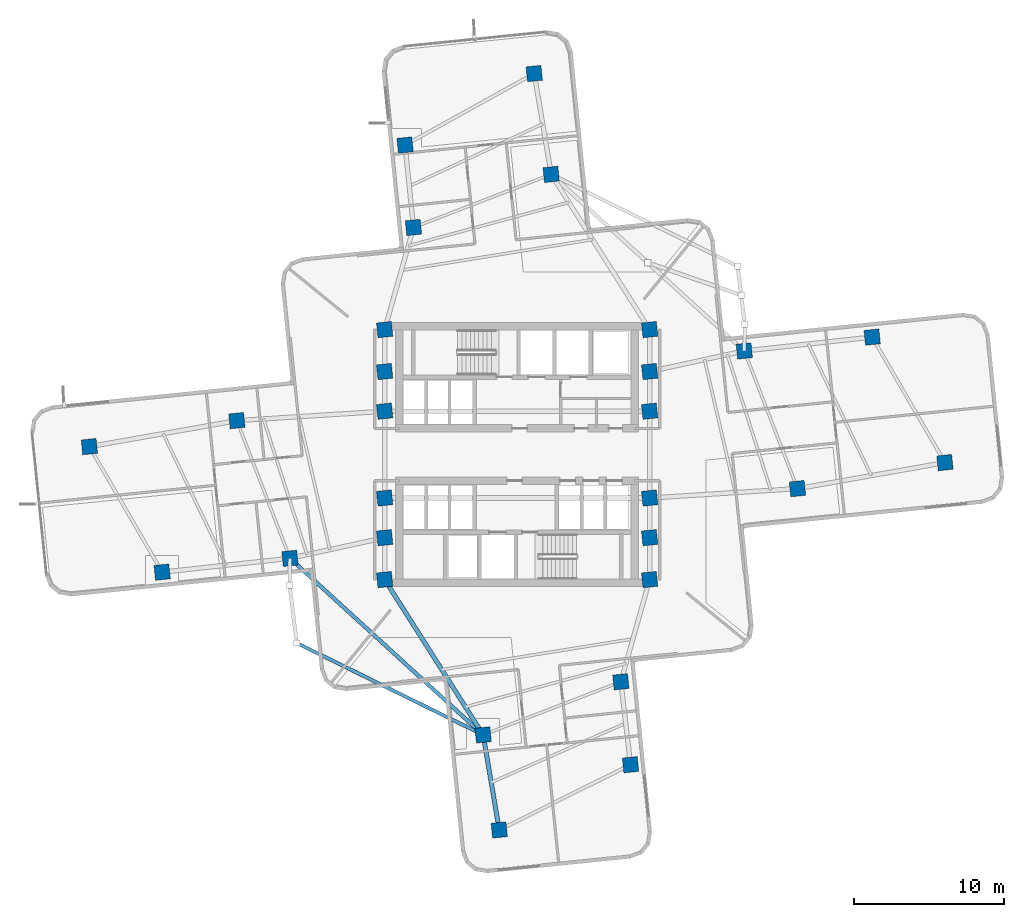
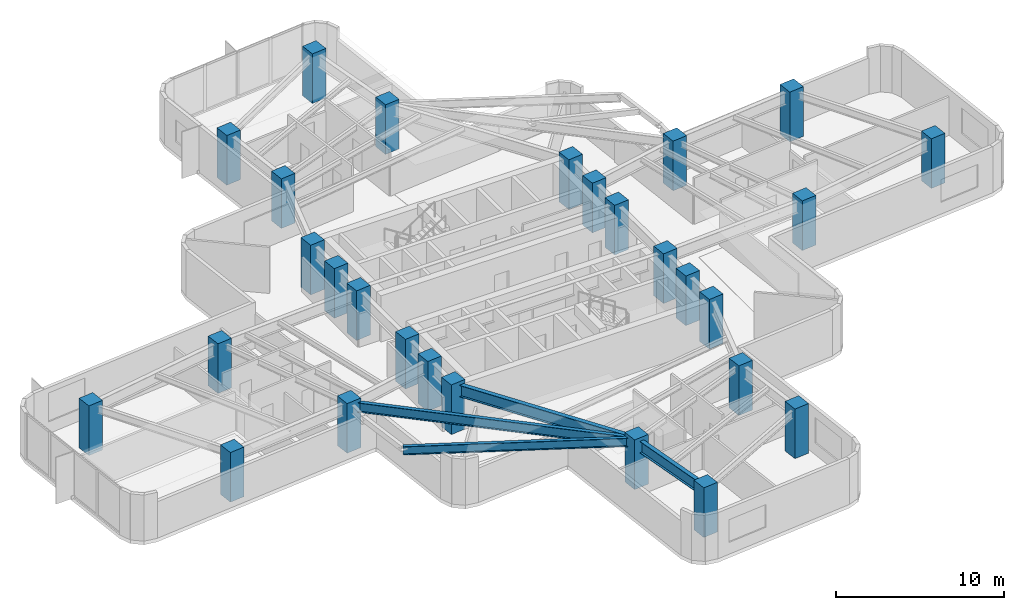
# One storey, part 1 of 12: 28 columns, 4 beams.
"""IFC4 building model written with IfcOpenShell, lengths in metres."""

from ifc_helpers import new_model, si_unit, direction, frame, origin, origin_2d, place, context, subcontext, project, spatial, rectangle, i_section, extrude, material, material_profile, profile_set, type_object, element, save


model = new_model("IFC4")

# Units and contexts
model_context = context("Model", 3, precision=1e-05, world=origin(), true_north=direction((0.0, 1.0)))
body_context = subcontext(model_context, "Body", "Model", "MODEL_VIEW")
ifc_project = project(units=[si_unit("LENGTHUNIT", "METRE"), si_unit("AREAUNIT", "SQUARE_METRE"), si_unit("VOLUMEUNIT", "CUBIC_METRE"), si_unit("PLANEANGLEUNIT", "RADIAN"), si_unit("MASSUNIT", "GRAM", prefix="KILO")], contexts=[model_context])

# Site, building, storey
site_placement = place(None, origin())
site = spatial("IfcSite", under=ifc_project, at=site_placement, CompositionType="ELEMENT")
building_placement = place(site_placement, origin())
building = spatial("IfcBuilding", under=site, at=building_placement, Name="Solmarez Civic Tower", CompositionType="ELEMENT")
storey_placement = place(building_placement, frame((0.0, 0.0, 74.8798828125)))
storey = spatial("IfcBuildingStorey", under=building, at=storey_placement, Name="L19", CompositionType="ELEMENT", Elevation=74.8798828125)

# Columns
ifc_material_1 = material(Name="Concrete C60/75", Category="concrete")
ifc_material_profile_1 = material_profile(ifc_material_1, rectangle(XDim=1.0, YDim=1.0, at=origin_2d()), Name="RC1000X1000")
ifc_profile_set_1 = profile_set([ifc_material_profile_1], Name="Concrete C60/75")
column_type = type_object("IfcColumnType", Name="COL-RC1000", PredefinedType="COLUMN", material=ifc_profile_set_1)
for number, where, z_axis, x_axis, name in (
    (1, (-8.85009765625, -5.550048828125, 0.0), (0.0, 0.0, 1.0), (0.994880708829, 0.101056297183, 0.0), "L19 Structural Column HC1"),
    (2, (-8.85009765625, -2.89990234375, 0.0), (0.0, 0.0, 1.0), (0.994880708829, 0.101056297183, 0.0), "L19 Structural Column HC2"),
    (3, (-8.85009765625, 2.89990234375, 0.0), (0.0, 0.0, 1.0), (0.994880708829, 0.101056297183, 0.0), "L19 Structural Column HC3"),
    (4, (-8.85009765625, 5.550048828125, 0.0), (0.0, 0.0, 1.0), (0.994880708829, 0.101056297183, 0.0), "L19 Structural Column HC4"),
    (5, (8.85009765625, -5.550048828125, 0.0), (0.0, 0.0, 1.0), (0.994880708829, 0.101056297183, 0.0), "L19 Structural Column HC5"),
    (6, (8.85009765625, -2.89990234375, 0.0), (0.0, 0.0, 1.0), (0.994880708829, 0.101056297183, 0.0), "L19 Structural Column HC6"),
    (7, (8.85009765625, 2.89990234375, 0.0), (0.0, 0.0, 1.0), (0.994880708829, 0.101056297183, 0.0), "L19 Structural Column HC7"),
    (8, (8.85009765625, 5.550048828125, 0.0), (0.0, 0.0, 1.0), (0.994880708829, 0.101056297183, 0.0), "L19 Structural Column HC8"),
    (9, (-8.85009765625, 8.35009765625, 0.0), (0.0, 0.0, 1.0), (0.994880708829, 0.101056297183, 0.0), "L19 Structural Column HC9"),
    (10, (8.85009765625, -8.35009765625, 0.0), (0.0, 0.0, 1.0), (0.994880708829, 0.101056297183, 0.0), "L19 Structural Column HC10"),
    (11, (8.85009765625, 8.35009765625, 0.0), (0.0, 0.0, 1.0), (0.994880708829, 0.101056297183, 0.0), "L19 Structural Column HC11"),
    (12, (-8.85009765625, -8.35009765625, 0.0), (0.0, 0.0, 1.0), (0.994880708829, 0.101056297183, 0.0), "L19 Structural Column HC12"),
    (13, (18.72412109375, -2.27099609375, 0.0), (0.0, 0.0, 1.0), (0.994880708829, 0.101056297183, 0.0), "L19 Structural Column EA11"),
    (14, (15.175048828125, 6.927001953125, 0.0), (0.0, 0.0, 1.0), (0.994880708829, 0.101056297183, 0.0), "L19 Structural Column EA12"),
    (15, (28.575927734375, -0.532958984375, 0.0), (0.0, 0.0, 1.0), (0.994880708829, 0.101056297183, 0.0), "L19 Structural Column EA21"),
    (16, (23.715087890625, 7.85107421875, 0.0), (0.0, 0.0, 1.0), (0.994880708829, 0.101056297183, 0.0), "L19 Structural Column EA22"),
    (17, (2.27099609375, 18.72412109375, 0.0), (0.0, 0.0, 1.0), (0.994880708829, 0.101056297183, 0.0), "L19 Structural Column NA11"),
    (18, (-6.927001953125, 15.175048828125, 0.0), (0.0, 0.0, 1.0), (0.994880708829, 0.101056297183, 0.0), "L19 Structural Column NA12"),
    (19, (1.138916015625, 25.45703125, 0.0), (0.0, 0.0, 1.0), (0.994880708829, 0.101056297183, 0.0), "L19 Structural Column NA21"),
    (20, (-7.489013671875, 20.678955078125, 0.0), (0.0, 0.0, 1.0), (0.994880708829, 0.101056297183, 0.0), "L19 Structural Column NA22"),
    (21, (-18.72412109375, 2.27099609375, 0.0), (0.0, 0.0, 1.0), (0.994880708829, 0.101056297183, 0.0), "L19 Structural Column WA11"),
    (22, (-15.175048828125, -6.927001953125, 0.0), (0.0, 0.0, 1.0), (0.994880708829, 0.101056297183, 0.0), "L19 Structural Column WA12"),
    (23, (-28.575927734375, 0.532958984375, 0.0), (0.0, 0.0, 1.0), (0.994880708829, 0.101056297183, 0.0), "L19 Structural Column WA21"),
    (24, (-23.715087890625, -7.85107421875, 0.0), (0.0, 0.0, 1.0), (0.994880708829, 0.101056297183, 0.0), "L19 Structural Column WA22"),
    (25, (-2.27099609375, -18.72412109375, 0.0), (0.0, 0.0, 1.0), (0.994880708829, 0.101056297183, 0.0), "L19 Structural Column SA11"),
    (26, (6.927001953125, -15.175048828125, 0.0), (0.0, 0.0, 1.0), (0.994880708829, 0.101056297183, 0.0), "L19 Structural Column SA12"),
    (27, (-1.195068359375, -25.073974609375, 0.0), (0.0, 0.0, 1.0), (0.994880708829, 0.101056297183, 0.0), "L19 Structural Column SA21"),
    (28, (7.573974609375, -20.714111328125, 0.0), (0.0, 0.0, 1.0), (0.994880708829, 0.101056297183, 0.0), "L19 Structural Column SA22"),
):
    element("IfcColumn", number, at=place(storey_placement, frame(where, z_axis=z_axis, x_axis=x_axis)), inside=storey, type_object=column_type, Name=name, PredefinedType="COLUMN", context=body_context, shape_type="SweptSolid", body=[
        extrude(rectangle(XDim=1.0, YDim=1.0, at=origin_2d()), origin(), (0.0, 0.0, 1.0), 3.60009765625),
    ])

# Beams
ifc_material_2 = material(Name="Steel S355", Category="steel")
ifc_material_profile_2 = material_profile(ifc_material_2, i_section(OverallWidth=0.25390625, OverallDepth=0.68798828125, WebThickness=0.01318359375, FlangeThickness=0.02099609375, at=origin_2d()), Name="W27X102")
ifc_profile_set_2 = profile_set([ifc_material_profile_2], Name="Steel S355")
beam_type_1 = type_object("IfcBeamType", Name="BM-PR-W27X102", PredefinedType="BEAM", material=ifc_profile_set_2)
beam_1_placement = place(storey_placement, frame((-15.175048828125, -6.927001953125, 2.99609375), z_axis=(0.738053646973, -0.674742035292, 0.0), x_axis=(0.674742035292, 0.738053646973, 0.0)))
element("IfcBeam", 29, at=beam_1_placement, inside=storey, type_object=beam_type_1, Name="L19 Primary Floor Beam BM-L19-BALC-SWC", PredefinedType="BEAM", context=body_context, shape_type="SweptSolid", body=[
    extrude(i_section(OverallWidth=0.25390625, OverallDepth=0.68798828125, WebThickness=0.01318359375, FlangeThickness=0.02099609375, at=origin_2d()), origin(), (0.0, 0.0, 1.0), 17.48388671875),
])
ifc_material_profile_3 = material_profile(ifc_material_2, i_section(OverallWidth=0.2919921875, OverallDepth=0.845947265625, WebThickness=0.015380859375, FlangeThickness=0.0244140625, at=origin_2d()), Name="W33X141")
ifc_profile_set_3 = profile_set([ifc_material_profile_3], Name="Steel S355")
beam_type_2 = type_object("IfcBeamType", Name="BM-PR-W33X141", PredefinedType="BEAM", material=ifc_profile_set_3)
beam_2_placement = place(storey_placement, frame((-8.85009765625, -8.35009765625, 2.917236328125), z_axis=(0.535568299099, -0.84449191648, 0.0), x_axis=(0.84449191648, 0.535568299099, 0.0)))
element("IfcBeam", 30, at=beam_2_placement, inside=storey, type_object=beam_type_2, Name="L19 Primary Floor Beam BM-L19-SA-R1A", PredefinedType="BEAM", context=body_context, shape_type="SweptSolid", body=[
    extrude(i_section(OverallWidth=0.2919921875, OverallDepth=0.845947265625, WebThickness=0.015380859375, FlangeThickness=0.0244140625, at=origin_2d()), origin(), (0.0, 0.0, 1.0), 12.284423828125),
])
beam_3_placement = place(storey_placement, frame((-2.27099609375, -18.72412109375, 2.917236328125), z_axis=(0.167060138422, -0.985946707561, 0.0), x_axis=(0.985946707561, 0.167060138422, 0.0)))
element("IfcBeam", 31, at=beam_3_placement, inside=storey, type_object=beam_type_2, Name="L19 Primary Floor Beam BM-L19-SA-R2A", PredefinedType="BEAM", context=body_context, shape_type="SweptSolid", body=[
    extrude(i_section(OverallWidth=0.2919921875, OverallDepth=0.845947265625, WebThickness=0.015380859375, FlangeThickness=0.0244140625, at=origin_2d()), origin(), (0.0, 0.0, 1.0), 6.4404296875),
])
ifc_material_profile_4 = material_profile(ifc_material_2, i_section(OverallWidth=0.22900390625, OverallDepth=0.612060546875, WebThickness=0.011962890625, FlangeThickness=0.01953125, at=origin_2d()), Name="W24X84")
ifc_profile_set_4 = profile_set([ifc_material_profile_4], Name="Steel S355")
beam_type_3 = type_object("IfcBeamType", Name="BM-SP-W24X84", PredefinedType="SPANDREL", material=ifc_profile_set_4)
beam_4_placement = place(storey_placement, frame((-2.27099609375, -18.72412109375, 3.0341796875), z_axis=(-0.897042216925, 0.441944862008, 0.0), x_axis=(-0.441944862008, -0.897042216925, 0.0)))
element("IfcBeam", 32, at=beam_4_placement, inside=storey, type_object=beam_type_3, Name="L19 Perimeter Spandrel Beam BM-L19-BALC-SW2", PredefinedType="SPANDREL", context=body_context, shape_type="SweptSolid", body=[
    extrude(i_section(OverallWidth=0.22900390625, OverallDepth=0.612060546875, WebThickness=0.011962890625, FlangeThickness=0.01953125, at=origin_2d()), origin(), (0.0, 0.0, 1.0), 13.884521484375),
])

save(model, "model.ifc")
